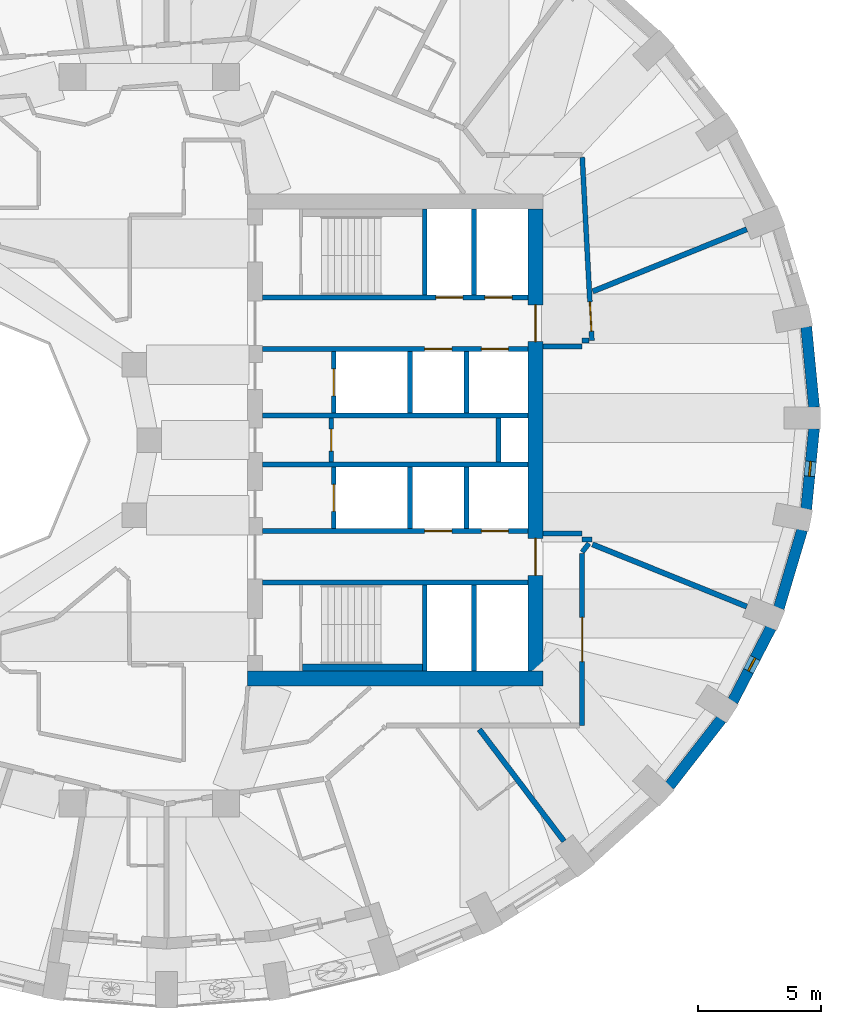
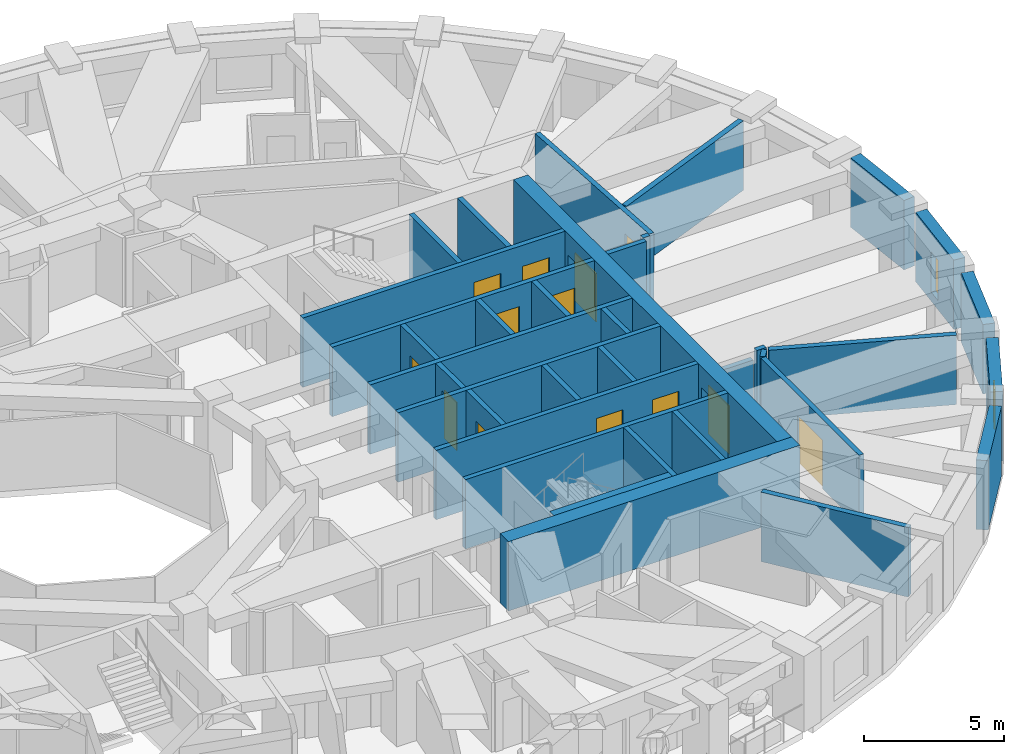
# One storey, part 6 of 12: 36 walls, 13 doors, 2 windows, 15 openings.
"""IFC4 building model written with IfcOpenShell, lengths in metres."""

from ifc_helpers import new_model, si_unit, direction, frame, frame_2d, origin, place, context, subcontext, project, spatial, rectangle, extrude, material, layer, layer_set, type_object, element, fill, save


model = new_model("IFC4")

# Units and contexts
model_context = context("Model", 3, precision=1e-05, world=origin(), true_north=direction((0.0, 1.0)))
body_context = subcontext(model_context, "Body", "Model", "MODEL_VIEW")
ifc_project = project(units=[si_unit("LENGTHUNIT", "METRE"), si_unit("AREAUNIT", "SQUARE_METRE"), si_unit("VOLUMEUNIT", "CUBIC_METRE"), si_unit("PLANEANGLEUNIT", "RADIAN"), si_unit("MASSUNIT", "GRAM", prefix="KILO")], contexts=[model_context])

# Site, building, storey
site_placement = place(None, origin())
site = spatial("IfcSite", under=ifc_project, at=site_placement, CompositionType="ELEMENT")
building_placement = place(site_placement, origin())
building = spatial("IfcBuilding", under=site, at=building_placement, Name="Taillehof Tower", CompositionType="ELEMENT")
storey_placement = place(building_placement, frame((0.0, 0.0, 199.10009765625)))
storey = spatial("IfcBuildingStorey", under=building, at=storey_placement, Name="L56", CompositionType="ELEMENT", Elevation=199.10009765625)

# Walls
ifc_material_1 = material(Name="Brick masonry", Category="masonry")
ifc_layer_1 = layer(ifc_material_1, 0.449951171875)
ifc_layer_set_1 = layer_set([ifc_layer_1], Name="Brick infill wall 450")
wall_type_1 = type_object("IfcWallType", Name="Brick infill wall 450", PredefinedType="SOLIDWALL", material=ifc_layer_set_1)
wall_1_placement = place(storey_placement, frame((27.0322265625, 1.330078125, 0.0), z_axis=(0.0, 0.0, 1.0), x_axis=(-0.096824116835, 0.995301507283, 0.0)))
element("IfcWall", 1, at=wall_1_placement, inside=storey, type_object=wall_type_1, Name="Brick wall L56 bay 1", PredefinedType="SOLIDWALL", context=body_context, shape_type="SweptSolid", body=[
    extrude(rectangle(XDim=3.29296875, YDim=0.449951171875, at=frame_2d((1.646484375, 0.0))), origin(), (0.0, 0.0, 1.0), 3.02001953125),
])
wall_2_placement = place(storey_placement, frame((21.1513671875, -14.06103515625, 0.0), z_axis=(0.0, 0.0, 1.0), x_axis=(0.614255239631, 0.789107407509, 0.0)))
element("IfcWall", 2, at=wall_2_placement, inside=storey, type_object=wall_type_1, Name="Brick wall L56 bay 33", PredefinedType="SOLIDWALL", context=body_context, shape_type="SweptSolid", body=[
    extrude(rectangle(XDim=3.4375, YDim=0.449951171875, at=frame_2d((1.71875, 0.0))), origin(), (0.0, 0.0, 1.0), 3.02001953125),
])

# Wall, opening, window
wall_3_placement = place(storey_placement, frame((23.72705078125, -10.6240234375, 0.0), z_axis=(0.0, 0.0, 1.0), x_axis=(0.460175500475, 0.887827972505, 0.0)))
wall_3 = element("IfcWall", 3, at=wall_3_placement, inside=storey, type_object=wall_type_1, Name="Brick wall L56 bay 34", PredefinedType="SOLIDWALL", context=body_context, shape_type="SweptSolid", body=[
    extrude(rectangle(XDim=3.37060546875, YDim=0.449951171875, at=frame_2d((1.685302734375, 0.0))), origin(), (0.0, 0.0, 1.0), 3.02001953125),
])
opening_1_placement = place(wall_3_placement, frame((1.38525390625, 0.0, 0.39990234375)))
opening_1 = element("IfcOpeningElement", 4, at=opening_1_placement, cuts=wall_3, Name="Opening W6", PredefinedType="OPENING", context=body_context, shape_type="SweptSolid", body=[
    extrude(rectangle(XDim=0.60009765625, YDim=1.75, at=frame_2d((0.300048828125, 0.875))), frame((0.0, 0.23486328125, 0.0), z_axis=(0.0, -1.0, 0.0), x_axis=(1.0, 0.0, 0.0)), (0.0, 0.0, 1.0), 0.469970703125),
])
ifc_material_2 = material(Name="Aluminium window frame with clear double glazing", Category="aluminium")
window_type = type_object("IfcWindowType", Name="Slot window 600x1750", PartitioningType="SINGLE_PANEL", PredefinedType="WINDOW", material=ifc_material_2)
window_1_placement = place(opening_1_placement, origin())
window_1 = element("IfcWindow", 5, at=window_1_placement, inside=storey, type_object=window_type, Name="W6", OverallHeight=1.75, OverallWidth=0.60009765625, PartitioningType="SINGLE_PANEL", PredefinedType="WINDOW", context=body_context, shape_type="SweptSolid", body=[
    extrude(rectangle(XDim=0.60009765625, YDim=1.75, at=frame_2d((0.300048828125, 0.875))), frame((0.0, 0.034912109375, 0.0), z_axis=(0.0, -1.0, 0.0), x_axis=(1.0, 0.0, 0.0)), (0.0, 0.0, 1.0), 0.06005859375),
])
fill(opening_1, window_1)

# Wall
wall_4_placement = place(storey_placement, frame((25.600341796875, -6.833984375, 0.0), z_axis=(0.0, 0.0, 1.0), x_axis=(0.285444972963, 0.958395099847, 0.0)))
element("IfcWall", 6, at=wall_4_placement, inside=storey, type_object=wall_type_1, Name="Brick wall L56 bay 35", PredefinedType="SOLIDWALL", context=body_context, shape_type="SweptSolid", body=[
    extrude(rectangle(XDim=3.3203125, YDim=0.449951171875, at=frame_2d((1.66015625, 0.0))), origin(), (0.0, 0.0, 1.0), 3.02001953125),
])

# Wall, opening, window
wall_5_placement = place(storey_placement, frame((26.71337890625, -2.807861328125, 0.0), z_axis=(0.0, 0.0, 1.0), x_axis=(0.096816972749, 0.995302202242, 0.0)))
wall_5 = element("IfcWall", 7, at=wall_5_placement, inside=storey, type_object=wall_type_1, Name="Brick wall L56 bay 36", PredefinedType="SOLIDWALL", context=body_context, shape_type="SweptSolid", body=[
    extrude(rectangle(XDim=3.293212890625, YDim=0.449951171875, at=frame_2d((1.646484375, 0.0))), origin(), (0.0, 0.0, 1.0), 3.02001953125),
])
opening_2_placement = place(wall_5_placement, frame((1.3466796875, 0.0, 0.39990234375)))
opening_2 = element("IfcOpeningElement", 8, at=opening_2_placement, cuts=wall_5, Name="Opening W6", PredefinedType="OPENING", context=body_context, shape_type="SweptSolid", body=[
    extrude(rectangle(XDim=0.60009765625, YDim=1.75, at=frame_2d((0.300048828125, 0.875))), frame((0.0, 0.23486328125, 0.0), z_axis=(0.0, -1.0, 0.0), x_axis=(1.0, 0.0, 0.0)), (0.0, 0.0, 1.0), 0.469970703125),
])
window_2_placement = place(opening_2_placement, origin())
window_2 = element("IfcWindow", 9, at=window_2_placement, inside=storey, type_object=window_type, Name="W6", OverallHeight=1.75, OverallWidth=0.60009765625, PartitioningType="SINGLE_PANEL", PredefinedType="WINDOW", context=body_context, shape_type="SweptSolid", body=[
    extrude(rectangle(XDim=0.60009765625, YDim=1.75, at=frame_2d((0.300048828125, 0.875))), frame((0.0, 0.034912109375, 0.0), z_axis=(0.0, -1.0, 0.0), x_axis=(1.0, 0.0, 0.0)), (0.0, 0.0, 1.0), 0.06005859375),
])
fill(opening_2, window_2)

# Wall, opening, door
ifc_material_3 = material(Name="Calcium silicate masonry", Category="masonry")
ifc_layer_2 = layer(ifc_material_3, 0.199951171875)
ifc_layer_set_2 = layer_set([ifc_layer_2], Name="Compartment wall calcium silicate 200")
wall_type_2 = type_object("IfcWallType", Name="Compartment wall calcium silicate 200", PredefinedType="PARTITIONING", material=ifc_layer_set_2)
wall_6_placement = place(storey_placement, frame((7.39990234375, -0.89990234375, 0.0), z_axis=(0.0, 0.0, 1.0), x_axis=(0.0, 1.0, 0.0)))
wall_6 = element("IfcWall", 10, at=wall_6_placement, inside=storey, type_object=wall_type_2, Name="Compartment wall FW", PredefinedType="PARTITIONING", context=body_context, shape_type="SweptSolid", body=[
    extrude(rectangle(XDim=1.7998046875, YDim=0.199951171875, at=frame_2d((0.89990234375, 0.0))), origin(), (0.0, 0.0, 1.0), 3.02001953125),
])
opening_3_placement = place(wall_6_placement, frame((0.449951171875, 0.0, 0.0)))
opening_3 = element("IfcOpeningElement", 11, at=opening_3_placement, cuts=wall_6, Name="Opening D5614", PredefinedType="OPENING", context=body_context, shape_type="SweptSolid", body=[
    extrude(rectangle(XDim=0.89990234375, YDim=2.10009765625, at=frame_2d((0.449951171875, 1.050048828125))), frame((0.0, 0.10986328125, 0.0), z_axis=(0.0, -1.0, 0.0), x_axis=(1.0, 0.0, 0.0)), (0.0, 0.0, 1.0), 0.219970703125),
])
ifc_material_4 = material(Name="Steel-faced fire door", Category="steel")
door_type_1 = type_object("IfcDoorType", Name="Riser and service room door 900x2100", OperationType="SINGLE_SWING_LEFT", PredefinedType="DOOR", material=ifc_material_4)
door_1_placement = place(opening_3_placement, origin())
door_1 = element("IfcDoor", 12, at=door_1_placement, inside=storey, type_object=door_type_1, Name="Door Fire Safety Store", OperationType="SINGLE_SWING_RIGHT", OverallHeight=2.10009765625, OverallWidth=0.89990234375, PredefinedType="DOOR", context=body_context, shape_type="SweptSolid", body=[
    extrude(rectangle(XDim=0.89990234375, YDim=2.10009765625, at=frame_2d((0.449951171875, 1.050048828125))), frame((0.0, 0.02490234375, 0.0), z_axis=(0.0, -1.0, 0.0), x_axis=(1.0, 0.0, 0.0)), (0.0, 0.0, 1.0), 0.050048828125),
])
fill(opening_3, door_1)

# Walls
wall_7_placement = place(storey_placement, frame((14.199951171875, -0.89990234375, 0.0), z_axis=(0.0, 0.0, 1.0), x_axis=(0.0, 1.0, 0.0)))
element("IfcWall", 13, at=wall_7_placement, inside=storey, type_object=wall_type_2, Name="Compartment wall FW", PredefinedType="PARTITIONING", context=body_context, shape_type="SweptSolid", body=[
    extrude(rectangle(XDim=1.7998046875, YDim=0.199951171875, at=frame_2d((0.89990234375, 0.0))), origin(), (0.0, 0.0, 1.0), 3.02001953125),
])
ifc_material_5 = material(Name="Gypsum board on steel studs, two layers each side", Category="steel")
ifc_layer_3 = layer(ifc_material_5, 0.199951171875)
ifc_layer_set_3 = layer_set([ifc_layer_3], Name="Compartment wall corridor 200")
wall_type_3 = type_object("IfcWallType", Name="Compartment wall corridor 200", PredefinedType="PARTITIONING", material=ifc_layer_set_3)
wall_8_placement = place(storey_placement, frame((17.60009765625, -4.042724609375, 0.0), z_axis=(0.0, 0.0, 1.0), x_axis=(1.0, 0.0, 0.0)))
element("IfcWall", 14, at=wall_8_placement, inside=storey, type_object=wall_type_3, Name="Compartment wall", PredefinedType="PARTITIONING", context=body_context, shape_type="SweptSolid", body=[
    extrude(rectangle(XDim=0.3984375, YDim=0.199951171875, at=frame_2d((0.19921875, 0.0))), origin(), (0.0, 0.0, 1.0), 3.02001953125),
])
wall_9_placement = place(storey_placement, frame((17.87646484375, -4.201416015625, 0.0), z_axis=(0.0, 0.0, 1.0), x_axis=(-0.61405326993, -0.789264582816, 0.0)))
element("IfcWall", 15, at=wall_9_placement, inside=storey, type_object=wall_type_3, Name="Compartment wall", PredefinedType="PARTITIONING", context=body_context, shape_type="SweptSolid", body=[
    extrude(rectangle(XDim=0.449951171875, YDim=0.199951171875, at=frame_2d((0.22509765625, 0.0))), origin(), (0.0, 0.0, 1.0), 3.02001953125),
])

# Wall, opening, door
wall_10_placement = place(storey_placement, frame((17.60009765625, -4.61669921875, 0.0), z_axis=(0.0, 0.0, 1.0), x_axis=(0.0, -1.0, 0.0)))
wall_10 = element("IfcWall", 16, at=wall_10_placement, inside=storey, type_object=wall_type_3, Name="Compartment wall", PredefinedType="PARTITIONING", context=body_context, shape_type="SweptSolid", body=[
    extrude(rectangle(XDim=6.9833984375, YDim=0.199951171875, at=frame_2d((3.49169921875, 0.0))), origin(), (0.0, 0.0, 1.0), 3.02001953125),
])
opening_4_placement = place(wall_10_placement, frame((2.591796875, 0.0, 0.0)))
opening_4 = element("IfcOpeningElement", 17, at=opening_4_placement, cuts=wall_10, Name="Opening D5663", PredefinedType="OPENING", context=body_context, shape_type="SweptSolid", body=[
    extrude(rectangle(XDim=1.800048828125, YDim=2.10009765625, at=frame_2d((0.89990234375, 1.050048828125))), frame((0.0, 0.10986328125, 0.0), z_axis=(0.0, -1.0, 0.0), x_axis=(1.0, 0.0, 0.0)), (0.0, 0.0, 1.0), 0.219970703125),
])
ifc_material_6 = material(Name="Timber door leaf in steel frame", Category="steel")
door_type_2 = type_object("IfcDoorType", Name="Lounge and meeting room double door EI 30 1800 x 2100", OperationType="SINGLE_SWING_LEFT", PredefinedType="DOOR", material=ifc_material_6)
door_2_placement = place(opening_4_placement, origin())
door_2 = element("IfcDoor", 18, at=door_2_placement, inside=storey, type_object=door_type_2, Name="D5663", OperationType="DOUBLE_DOOR_SINGLE_SWING", OverallHeight=2.10009765625, OverallWidth=1.800048828125, PredefinedType="DOOR", context=body_context, shape_type="SweptSolid", body=[
    extrude(rectangle(XDim=1.800048828125, YDim=2.10009765625, at=frame_2d((0.89990234375, 1.050048828125))), frame((0.0, 0.02490234375, 0.0), z_axis=(0.0, -1.0, 0.0), x_axis=(1.0, 0.0, 0.0)), (0.0, 0.0, 1.0), 0.050048828125),
])
fill(opening_4, door_2)

wall_11_placement = place(storey_placement, frame((17.60498046875, 11.5, 0.0), z_axis=(0.0, 0.0, 1.0), x_axis=(0.052701255232, -0.998610323248, 0.0)))
wall_11 = element("IfcWall", 19, at=wall_11_placement, inside=storey, type_object=wall_type_3, Name="Compartment wall", PredefinedType="PARTITIONING", context=body_context, shape_type="SweptSolid", body=[
    extrude(rectangle(XDim=7.4677734375, YDim=0.199951171875, at=frame_2d((3.73388671875, 0.0))), origin(), (0.0, 0.0, 1.0), 3.02001953125),
])
opening_5_placement = place(wall_11_placement, frame((5.887451171875, 0.0, 0.0)))
opening_5 = element("IfcOpeningElement", 20, at=opening_5_placement, cuts=wall_11, Name="Opening D5664", PredefinedType="OPENING", context=body_context, shape_type="SweptSolid", body=[
    extrude(rectangle(XDim=1.199951171875, YDim=2.10009765625, at=frame_2d((0.60009765625, 1.050048828125))), frame((0.0, 0.10986328125, 0.0), z_axis=(0.0, -1.0, 0.0), x_axis=(1.0, 0.0, 0.0)), (0.0, 0.0, 1.0), 0.219970703125),
])
ifc_material_7 = material(Name="Timber door leaf in steel frame", Category="steel")
door_type_3 = type_object("IfcDoorType", Name="Suite entrance door EI 30 1200 x 2100", OperationType="SINGLE_SWING_LEFT", PredefinedType="DOOR", material=ifc_material_7)
door_3_placement = place(opening_5_placement, origin())
door_3 = element("IfcDoor", 21, at=door_3_placement, inside=storey, type_object=door_type_3, Name="D5664", OperationType="SINGLE_SWING_LEFT", OverallHeight=2.10009765625, OverallWidth=1.199951171875, PredefinedType="DOOR", context=body_context, shape_type="SweptSolid", body=[
    extrude(rectangle(XDim=1.199951171875, YDim=2.10009765625, at=frame_2d((0.60009765625, 1.050048828125))), frame((0.0, 0.02490234375, 0.0), z_axis=(0.0, -1.0, 0.0), x_axis=(1.0, 0.0, 0.0)), (0.0, 0.0, 1.0), 0.050048828125),
])
fill(opening_5, door_3)

# Walls
wall_12_placement = place(storey_placement, frame((17.87841796875, 4.042724609375, 0.0), z_axis=(0.0, 0.0, 1.0), x_axis=(-1.0, 0.0, 0.0)))
element("IfcWall", 22, at=wall_12_placement, inside=storey, type_object=wall_type_3, Name="Compartment wall", PredefinedType="PARTITIONING", context=body_context, shape_type="SweptSolid", body=[
    extrude(rectangle(XDim=0.2783203125, YDim=0.199951171875, at=frame_2d((0.13916015625, 0.0))), origin(), (0.0, 0.0, 1.0), 3.02001953125),
])
wall_13_placement = place(storey_placement, frame((17.60009765625, 3.800048828125, 0.0), z_axis=(0.0, 0.0, 1.0), x_axis=(-1.0, 0.0, 0.0)))
element("IfcWall", 23, at=wall_13_placement, inside=storey, type_object=wall_type_3, Name="Compartment wall", PredefinedType="PARTITIONING", context=body_context, shape_type="SweptSolid", body=[
    extrude(rectangle(XDim=1.59619140625, YDim=0.199951171875, at=frame_2d((0.798095703125, 0.0))), origin(), (0.0, 0.0, 1.0), 3.02001953125),
])
wall_14_placement = place(storey_placement, frame((16.00390625, -3.800048828125, 0.0), z_axis=(0.0, 0.0, 1.0), x_axis=(1.0, 0.0, 0.0)))
element("IfcWall", 24, at=wall_14_placement, inside=storey, type_object=wall_type_3, Name="Compartment wall", PredefinedType="PARTITIONING", context=body_context, shape_type="SweptSolid", body=[
    extrude(rectangle(XDim=1.59619140625, YDim=0.199951171875, at=frame_2d((0.798095703125, 0.0))), origin(), (0.0, 0.0, 1.0), 2.469970703125),
])
ifc_material_8 = material(Name="Gypsum board on double steel studs with mineral wool", Category="steel")
ifc_layer_4 = layer(ifc_material_8, 0.219970703125)
ifc_layer_set_4 = layer_set([ifc_layer_4], Name="Compartment wall guest room 220")
wall_type_4 = type_object("IfcWallType", Name="Compartment wall guest room 220", PredefinedType="PARTITIONING", material=ifc_layer_set_4)
wall_15_placement = place(storey_placement, frame((24.29541015625, 8.5712890625, 0.0), z_axis=(0.0, 0.0, 1.0), x_axis=(-0.927395972896, -0.374081153571, 0.0)))
element("IfcWall", 25, at=wall_15_placement, inside=storey, type_object=wall_type_4, Name="Compartment wall", PredefinedType="PARTITIONING", context=body_context, shape_type="SweptSolid", body=[
    extrude(rectangle(XDim=6.7548828125, YDim=0.219970703125, at=frame_2d((3.37744140625, 0.0))), origin(), (0.0, 0.0, 1.0), 3.02001953125),
])
wall_16_placement = place(storey_placement, frame((16.86328125, -16.3125, 0.0), z_axis=(0.0, 0.0, 1.0), x_axis=(-0.603636051313, 0.797260006243, 0.0)))
element("IfcWall", 26, at=wall_16_placement, inside=storey, type_object=wall_type_4, Name="Compartment wall", PredefinedType="PARTITIONING", context=body_context, shape_type="SweptSolid", body=[
    extrude(rectangle(XDim=5.70556640625, YDim=0.219970703125, at=frame_2d((2.852783203125, 0.0))), origin(), (0.0, 0.0, 1.0), 3.02001953125),
])
wall_17_placement = place(storey_placement, frame((24.29541015625, -6.771484375, 0.0), z_axis=(0.0, 0.0, 1.0), x_axis=(-0.927382720906, 0.374114005305, 0.0)))
element("IfcWall", 27, at=wall_17_placement, inside=storey, type_object=wall_type_4, Name="Compartment wall", PredefinedType="PARTITIONING", context=body_context, shape_type="SweptSolid", body=[
    extrude(rectangle(XDim=6.765869140625, YDim=0.219970703125, at=frame_2d((3.3828125, 0.0))), origin(), (0.0, 0.0, 1.0), 3.02001953125),
])
ifc_material_9 = material(Name="Calcium silicate masonry", Category="masonry")
ifc_layer_5 = layer(ifc_material_9, 0.300048828125)
ifc_layer_set_5 = layer_set([ifc_layer_5], Name="Compartment wall lining calcium silicate 300")
wall_type_5 = type_object("IfcWallType", Name="Compartment wall lining calcium silicate 300", PredefinedType="PARTITIONING", material=ifc_layer_set_5)
wall_18_placement = place(storey_placement, frame((6.219970703125, -9.25, 0.0), z_axis=(0.0, 0.0, 1.0), x_axis=(1.0, 0.0, 0.0)))
element("IfcWall", 28, at=wall_18_placement, inside=storey, type_object=wall_type_5, Name="Compartment wall FW", PredefinedType="PARTITIONING", context=body_context, shape_type="SweptSolid", body=[
    extrude(rectangle(XDim=4.880126953125, YDim=0.300048828125, at=frame_2d((2.43994140625, 0.0))), origin(), (0.0, 0.0, 1.0), 3.02001953125),
])

# Wall, openings, doors
ifc_material_10 = material(Name="Concrete C80/95", Category="concrete")
ifc_layer_6 = layer(ifc_material_10, 0.60009765625)
ifc_layer_set_6 = layer_set([ifc_layer_6], Name="Core wall C80/95 600")
wall_type_6 = type_object("IfcWallType", Name="Core wall C80/95 600", PredefinedType="SHEAR", material=ifc_layer_set_6)
wall_19_placement = place(storey_placement, frame((15.699951171875, -9.39990234375, 0.0), z_axis=(0.0, 0.0, 1.0), x_axis=(0.0, 1.0, 0.0)))
wall_19 = element("IfcWall", 29, at=wall_19_placement, inside=storey, type_object=wall_type_6, Name="Core wall CW05", PredefinedType="SHEAR", context=body_context, shape_type="SweptSolid", body=[
    extrude(rectangle(XDim=18.7998046875, YDim=0.60009765625, at=frame_2d((9.39990234375, 0.0))), origin(), (0.0, 0.0, 1.0), 3.02001953125),
])
opening_6_placement = place(wall_19_placement, frame((13.39990234375, 0.0, 0.0)))
opening_6 = element("IfcOpeningElement", 30, at=opening_6_placement, cuts=wall_19, Name="Opening D5608", PredefinedType="OPENING", context=body_context, shape_type="SweptSolid", body=[
    extrude(rectangle(XDim=1.5, YDim=2.10009765625, at=frame_2d((0.75, 1.050048828125))), frame((0.0, 0.31005859375, 0.0), z_axis=(0.0, -1.0, 0.0), x_axis=(1.0, 0.0, 0.0)), (0.0, 0.0, 1.0), 0.6201171875),
])
opening_7_placement = place(wall_19_placement, frame((3.89990234375, 0.0, 0.0)))
opening_7 = element("IfcOpeningElement", 31, at=opening_7_placement, cuts=wall_19, Name="Opening D5609", PredefinedType="OPENING", context=body_context, shape_type="SweptSolid", body=[
    extrude(rectangle(XDim=1.5, YDim=2.10009765625, at=frame_2d((0.75, 1.050048828125))), frame((0.0, 0.31005859375, 0.0), z_axis=(0.0, -1.0, 0.0), x_axis=(1.0, 0.0, 0.0)), (0.0, 0.0, 1.0), 0.6201171875),
])
ifc_material_11 = material(Name="Steel-faced fire door", Category="steel")
door_type_4 = type_object("IfcDoorType", Name="Lift lobby east door 1500x2100", OperationType="DOUBLE_DOOR_SINGLE_SWING", PredefinedType="DOOR", material=ifc_material_11)
door_4_placement = place(opening_6_placement, origin())
door_4 = element("IfcDoor", 32, at=door_4_placement, inside=storey, type_object=door_type_4, Name="Lift lobby east door north", OperationType="DOUBLE_DOOR_SINGLE_SWING", OverallHeight=2.10009765625, OverallWidth=1.5, PredefinedType="DOOR", context=body_context, shape_type="SweptSolid", body=[
    extrude(rectangle(XDim=1.5, YDim=2.10009765625, at=frame_2d((0.75, 1.050048828125))), frame((0.0, 0.02490234375, 0.0), z_axis=(0.0, -1.0, 0.0), x_axis=(1.0, 0.0, 0.0)), (0.0, 0.0, 1.0), 0.050048828125),
])
fill(opening_6, door_4)
door_5_placement = place(opening_7_placement, origin())
door_5 = element("IfcDoor", 33, at=door_5_placement, inside=storey, type_object=door_type_4, Name="Lift lobby east door south", OperationType="DOUBLE_DOOR_SINGLE_SWING", OverallHeight=2.10009765625, OverallWidth=1.5, PredefinedType="DOOR", context=body_context, shape_type="SweptSolid", body=[
    extrude(rectangle(XDim=1.5, YDim=2.10009765625, at=frame_2d((0.75, 1.050048828125))), frame((0.0, 0.02490234375, 0.0), z_axis=(0.0, -1.0, 0.0), x_axis=(1.0, 0.0, 0.0)), (0.0, 0.0, 1.0), 0.050048828125),
])
fill(opening_7, door_5)

# Wall
wall_20_placement = place(storey_placement, frame((4.0, -9.699951171875, 0.0), z_axis=(0.0, 0.0, 1.0), x_axis=(1.0, 0.0, 0.0)))
element("IfcWall", 34, at=wall_20_placement, inside=storey, type_object=wall_type_6, Name="Core wall CW07", PredefinedType="SHEAR", context=body_context, shape_type="SweptSolid", body=[
    extrude(rectangle(XDim=12.0, YDim=0.60009765625, at=frame_2d((6.0, 0.0))), origin(), (0.0, 0.0, 1.0), 3.02001953125),
])

# Wall, openings, doors
ifc_material_12 = material(Name="Concrete C50/60", Category="concrete")
ifc_layer_7 = layer(ifc_material_12, 0.199951171875)
ifc_layer_set_7 = layer_set([ifc_layer_7], Name="Shaft wall C50/60 200")
wall_type_7 = type_object("IfcWallType", Name="Shaft wall C50/60 200", PredefinedType="SHEAR", material=ifc_layer_set_7)
wall_21_placement = place(storey_placement, frame((4.60009765625, 5.800048828125, 0.0), z_axis=(0.0, 0.0, 1.0), x_axis=(1.0, 0.0, 0.0)))
wall_21 = element("IfcWall", 35, at=wall_21_placement, inside=storey, type_object=wall_type_7, Name="Shaft wall SW", PredefinedType="SHEAR", context=body_context, shape_type="SweptSolid", body=[
    extrude(rectangle(XDim=10.7998046875, YDim=0.199951171875, at=frame_2d((5.39990234375, 0.0))), origin(), (0.0, 0.0, 1.0), 3.02001953125),
])
opening_8_placement = place(wall_21_placement, frame((7.050048828125, 0.0, 0.0)))
opening_8 = element("IfcOpeningElement", 36, at=opening_8_placement, cuts=wall_21, Name="Opening LD1", PredefinedType="OPENING", context=body_context, shape_type="SweptSolid", body=[
    extrude(rectangle(XDim=1.10009765625, YDim=2.10009765625, at=frame_2d((0.550048828125, 1.050048828125))), frame((0.0, 0.10986328125, 0.0), z_axis=(0.0, -1.0, 0.0), x_axis=(1.0, 0.0, 0.0)), (0.0, 0.0, 1.0), 0.219970703125),
])
opening_9_placement = place(wall_21_placement, frame((9.050048828125, 0.0, 0.0)))
opening_9 = element("IfcOpeningElement", 37, at=opening_9_placement, cuts=wall_21, Name="Opening LD1", PredefinedType="OPENING", context=body_context, shape_type="SweptSolid", body=[
    extrude(rectangle(XDim=1.10009765625, YDim=2.10009765625, at=frame_2d((0.550048828125, 1.050048828125))), frame((0.0, 0.10986328125, 0.0), z_axis=(0.0, -1.0, 0.0), x_axis=(1.0, 0.0, 0.0)), (0.0, 0.0, 1.0), 0.219970703125),
])
ifc_material_13 = material(Name="Stainless steel", Category="steel")
door_type_5 = type_object("IfcDoorType", Name="Lift landing door LD1 1100x2100", OperationType="DOUBLE_DOOR_SLIDING", PredefinedType="DOOR", material=ifc_material_13)
door_6_placement = place(opening_8_placement, origin())
door_6 = element("IfcDoor", 38, at=door_6_placement, inside=storey, type_object=door_type_5, Name="Landing door HR1", OperationType="DOUBLE_DOOR_SLIDING", OverallHeight=2.10009765625, OverallWidth=1.10009765625, PredefinedType="DOOR", context=body_context, shape_type="SweptSolid", body=[
    extrude(rectangle(XDim=1.10009765625, YDim=2.10009765625, at=frame_2d((0.550048828125, 1.050048828125))), frame((0.0, 0.02490234375, 0.0), z_axis=(0.0, -1.0, 0.0), x_axis=(1.0, 0.0, 0.0)), (0.0, 0.0, 1.0), 0.050048828125),
])
fill(opening_8, door_6)
door_7_placement = place(opening_9_placement, origin())
door_7 = element("IfcDoor", 39, at=door_7_placement, inside=storey, type_object=door_type_5, Name="Landing door HR2", OperationType="DOUBLE_DOOR_SLIDING", OverallHeight=2.10009765625, OverallWidth=1.10009765625, PredefinedType="DOOR", context=body_context, shape_type="SweptSolid", body=[
    extrude(rectangle(XDim=1.10009765625, YDim=2.10009765625, at=frame_2d((0.550048828125, 1.050048828125))), frame((0.0, 0.02490234375, 0.0), z_axis=(0.0, -1.0, 0.0), x_axis=(1.0, 0.0, 0.0)), (0.0, 0.0, 1.0), 0.050048828125),
])
fill(opening_9, door_7)

wall_22_placement = place(storey_placement, frame((4.60009765625, 3.699951171875, 0.0), z_axis=(0.0, 0.0, 1.0), x_axis=(1.0, 0.0, 0.0)))
wall_22 = element("IfcWall", 40, at=wall_22_placement, inside=storey, type_object=wall_type_7, Name="Shaft wall SW", PredefinedType="SHEAR", context=body_context, shape_type="SweptSolid", body=[
    extrude(rectangle(XDim=10.7998046875, YDim=0.199951171875, at=frame_2d((5.39990234375, 0.0))), origin(), (0.0, 0.0, 1.0), 3.02001953125),
])
opening_10_placement = place(wall_22_placement, frame((6.60009765625, 0.0, 0.0)))
opening_10 = element("IfcOpeningElement", 41, at=opening_10_placement, cuts=wall_22, Name="Opening LD1", PredefinedType="OPENING", context=body_context, shape_type="SweptSolid", body=[
    extrude(rectangle(XDim=1.10009765625, YDim=2.10009765625, at=frame_2d((0.550048828125, 1.050048828125))), frame((0.0, 0.10986328125, 0.0), z_axis=(0.0, -1.0, 0.0), x_axis=(1.0, 0.0, 0.0)), (0.0, 0.0, 1.0), 0.219970703125),
])
opening_11_placement = place(wall_22_placement, frame((8.89990234375, 0.0, 0.0)))
opening_11 = element("IfcOpeningElement", 42, at=opening_11_placement, cuts=wall_22, Name="Opening LD1", PredefinedType="OPENING", context=body_context, shape_type="SweptSolid", body=[
    extrude(rectangle(XDim=1.10009765625, YDim=2.10009765625, at=frame_2d((0.550048828125, 1.050048828125))), frame((0.0, 0.10986328125, 0.0), z_axis=(0.0, -1.0, 0.0), x_axis=(1.0, 0.0, 0.0)), (0.0, 0.0, 1.0), 0.219970703125),
])
door_8_placement = place(opening_10_placement, origin())
door_8 = element("IfcDoor", 43, at=door_8_placement, inside=storey, type_object=door_type_5, Name="Landing door HR3", OperationType="DOUBLE_DOOR_SLIDING", OverallHeight=2.10009765625, OverallWidth=1.10009765625, PredefinedType="DOOR", context=body_context, shape_type="SweptSolid", body=[
    extrude(rectangle(XDim=1.10009765625, YDim=2.10009765625, at=frame_2d((0.550048828125, 1.050048828125))), frame((0.0, 0.02490234375, 0.0), z_axis=(0.0, -1.0, 0.0), x_axis=(1.0, 0.0, 0.0)), (0.0, 0.0, 1.0), 0.050048828125),
])
fill(opening_10, door_8)
door_9_placement = place(opening_11_placement, origin())
door_9 = element("IfcDoor", 44, at=door_9_placement, inside=storey, type_object=door_type_5, Name="Landing door HR4", OperationType="DOUBLE_DOOR_SLIDING", OverallHeight=2.10009765625, OverallWidth=1.10009765625, PredefinedType="DOOR", context=body_context, shape_type="SweptSolid", body=[
    extrude(rectangle(XDim=1.10009765625, YDim=2.10009765625, at=frame_2d((0.550048828125, 1.050048828125))), frame((0.0, 0.02490234375, 0.0), z_axis=(0.0, -1.0, 0.0), x_axis=(1.0, 0.0, 0.0)), (0.0, 0.0, 1.0), 0.050048828125),
])
fill(opening_11, door_9)

# Walls
for number, where, z_axis, x_axis, name in (
    (45, (4.60009765625, 1.0, 0.0), (0.0, 0.0, 1.0), (1.0, 0.0, 0.0), "Shaft wall SW"),
    (46, (4.60009765625, -1.0, 0.0), (0.0, 0.0, 1.0), (1.0, 0.0, 0.0), "Shaft wall SW"),
):
    element("IfcWall", number, at=place(storey_placement, frame(where, z_axis=z_axis, x_axis=x_axis)), inside=storey, type_object=wall_type_7, Name=name, PredefinedType="SHEAR", context=body_context, shape_type="SweptSolid", body=[
        extrude(rectangle(XDim=10.7998046875, YDim=0.199951171875, at=frame_2d((5.39990234375, 0.0))), origin(), (0.0, 0.0, 1.0), 3.02001953125),
    ])

# Wall, openings, doors
wall_23_placement = place(storey_placement, frame((4.60009765625, -3.699951171875, 0.0), z_axis=(0.0, 0.0, 1.0), x_axis=(1.0, 0.0, 0.0)))
wall_23 = element("IfcWall", 47, at=wall_23_placement, inside=storey, type_object=wall_type_7, Name="Shaft wall SW", PredefinedType="SHEAR", context=body_context, shape_type="SweptSolid", body=[
    extrude(rectangle(XDim=10.7998046875, YDim=0.199951171875, at=frame_2d((5.39990234375, 0.0))), origin(), (0.0, 0.0, 1.0), 3.02001953125),
])
opening_12_placement = place(wall_23_placement, frame((6.60009765625, 0.0, 0.0)))
opening_12 = element("IfcOpeningElement", 48, at=opening_12_placement, cuts=wall_23, Name="Opening LD1", PredefinedType="OPENING", context=body_context, shape_type="SweptSolid", body=[
    extrude(rectangle(XDim=1.10009765625, YDim=2.10009765625, at=frame_2d((0.550048828125, 1.050048828125))), frame((0.0, 0.10986328125, 0.0), z_axis=(0.0, -1.0, 0.0), x_axis=(1.0, 0.0, 0.0)), (0.0, 0.0, 1.0), 0.219970703125),
])
opening_13_placement = place(wall_23_placement, frame((8.89990234375, 0.0, 0.0)))
opening_13 = element("IfcOpeningElement", 49, at=opening_13_placement, cuts=wall_23, Name="Opening LD1", PredefinedType="OPENING", context=body_context, shape_type="SweptSolid", body=[
    extrude(rectangle(XDim=1.10009765625, YDim=2.10009765625, at=frame_2d((0.550048828125, 1.050048828125))), frame((0.0, 0.10986328125, 0.0), z_axis=(0.0, -1.0, 0.0), x_axis=(1.0, 0.0, 0.0)), (0.0, 0.0, 1.0), 0.219970703125),
])
door_10_placement = place(opening_12_placement, origin())
door_10 = element("IfcDoor", 50, at=door_10_placement, inside=storey, type_object=door_type_5, Name="Landing door HR5", OperationType="DOUBLE_DOOR_SLIDING", OverallHeight=2.10009765625, OverallWidth=1.10009765625, PredefinedType="DOOR", context=body_context, shape_type="SweptSolid", body=[
    extrude(rectangle(XDim=1.10009765625, YDim=2.10009765625, at=frame_2d((0.550048828125, 1.050048828125))), frame((0.0, 0.02490234375, 0.0), z_axis=(0.0, -1.0, 0.0), x_axis=(1.0, 0.0, 0.0)), (0.0, 0.0, 1.0), 0.050048828125),
])
fill(opening_12, door_10)
door_11_placement = place(opening_13_placement, origin())
door_11 = element("IfcDoor", 51, at=door_11_placement, inside=storey, type_object=door_type_5, Name="Landing door HR6", OperationType="DOUBLE_DOOR_SLIDING", OverallHeight=2.10009765625, OverallWidth=1.10009765625, PredefinedType="DOOR", context=body_context, shape_type="SweptSolid", body=[
    extrude(rectangle(XDim=1.10009765625, YDim=2.10009765625, at=frame_2d((0.550048828125, 1.050048828125))), frame((0.0, 0.02490234375, 0.0), z_axis=(0.0, -1.0, 0.0), x_axis=(1.0, 0.0, 0.0)), (0.0, 0.0, 1.0), 0.050048828125),
])
fill(opening_13, door_11)

# Walls
wall_24_placement = place(storey_placement, frame((4.60009765625, -5.800048828125, 0.0), z_axis=(0.0, 0.0, 1.0), x_axis=(1.0, 0.0, 0.0)))
element("IfcWall", 52, at=wall_24_placement, inside=storey, type_object=wall_type_7, Name="Shaft wall SW", PredefinedType="SHEAR", context=body_context, shape_type="SweptSolid", body=[
    extrude(rectangle(XDim=10.7998046875, YDim=0.199951171875, at=frame_2d((5.39990234375, 0.0))), origin(), (0.0, 0.0, 1.0), 3.02001953125),
])
for number, where, z_axis, x_axis, name in (
    (53, (11.199951171875, 5.89990234375, 0.0), (0.0, 0.0, 1.0), (0.0, 1.0, 0.0), "Shaft wall SW"),
    (54, (11.199951171875, -9.39990234375, 0.0), (0.0, 0.0, 1.0), (0.0, 1.0, 0.0), "Shaft wall SW"),
    (55, (13.199951171875, 5.89990234375, 0.0), (0.0, 0.0, 1.0), (0.0, 1.0, 0.0), "Shaft wall SW"),
    (56, (13.199951171875, -9.39990234375, 0.0), (0.0, 0.0, 1.0), (0.0, 1.0, 0.0), "Shaft wall SW"),
):
    element("IfcWall", number, at=place(storey_placement, frame(where, z_axis=z_axis, x_axis=x_axis)), inside=storey, type_object=wall_type_7, Name=name, PredefinedType="SHEAR", context=body_context, shape_type="SweptSolid", body=[
        extrude(rectangle(XDim=3.5, YDim=0.199951171875, at=frame_2d((1.75, 0.0))), origin(), (0.0, 0.0, 1.0), 3.02001953125),
    ])

# Wall, opening, door
wall_25_placement = place(storey_placement, frame((7.5, 1.10009765625, 0.0), z_axis=(0.0, 0.0, 1.0), x_axis=(0.0, 1.0, 0.0)))
wall_25 = element("IfcWall", 57, at=wall_25_placement, inside=storey, type_object=wall_type_7, Name="Shaft wall SW", PredefinedType="SHEAR", context=body_context, shape_type="SweptSolid", body=[
    extrude(rectangle(XDim=2.5, YDim=0.199951171875, at=frame_2d((1.25, 0.0))), origin(), (0.0, 0.0, 1.0), 3.02001953125),
])
opening_14_placement = place(wall_25_placement, frame((0.699951171875, 0.0, 0.0)))
opening_14 = element("IfcOpeningElement", 58, at=opening_14_placement, cuts=wall_25, Name="Opening LD1", PredefinedType="OPENING", context=body_context, shape_type="SweptSolid", body=[
    extrude(rectangle(XDim=1.10009765625, YDim=2.10009765625, at=frame_2d((0.550048828125, 1.050048828125))), frame((0.0, 0.10986328125, 0.0), z_axis=(0.0, -1.0, 0.0), x_axis=(1.0, 0.0, 0.0)), (0.0, 0.0, 1.0), 0.219970703125),
])
door_12_placement = place(opening_14_placement, origin())
door_12 = element("IfcDoor", 59, at=door_12_placement, inside=storey, type_object=door_type_5, Name="Landing door FF1", OperationType="DOUBLE_DOOR_SLIDING", OverallHeight=2.10009765625, OverallWidth=1.10009765625, PredefinedType="DOOR", context=body_context, shape_type="SweptSolid", body=[
    extrude(rectangle(XDim=1.10009765625, YDim=2.10009765625, at=frame_2d((0.550048828125, 1.050048828125))), frame((0.0, 0.02490234375, 0.0), z_axis=(0.0, -1.0, 0.0), x_axis=(1.0, 0.0, 0.0)), (0.0, 0.0, 1.0), 0.050048828125),
])
fill(opening_14, door_12)

wall_26_placement = place(storey_placement, frame((7.5, -3.60009765625, 0.0), z_axis=(0.0, 0.0, 1.0), x_axis=(0.0, 1.0, 0.0)))
wall_26 = element("IfcWall", 60, at=wall_26_placement, inside=storey, type_object=wall_type_7, Name="Shaft wall SW", PredefinedType="SHEAR", context=body_context, shape_type="SweptSolid", body=[
    extrude(rectangle(XDim=2.5, YDim=0.199951171875, at=frame_2d((1.25, 0.0))), origin(), (0.0, 0.0, 1.0), 3.02001953125),
])
opening_15_placement = place(wall_26_placement, frame((0.699951171875, 0.0, 0.0)))
opening_15 = element("IfcOpeningElement", 61, at=opening_15_placement, cuts=wall_26, Name="Opening LD1", PredefinedType="OPENING", context=body_context, shape_type="SweptSolid", body=[
    extrude(rectangle(XDim=1.10009765625, YDim=2.10009765625, at=frame_2d((0.550048828125, 1.050048828125))), frame((0.0, 0.10986328125, 0.0), z_axis=(0.0, -1.0, 0.0), x_axis=(1.0, 0.0, 0.0)), (0.0, 0.0, 1.0), 0.219970703125),
])
door_13_placement = place(opening_15_placement, origin())
door_13 = element("IfcDoor", 62, at=door_13_placement, inside=storey, type_object=door_type_5, Name="Landing door FF2", OperationType="DOUBLE_DOOR_SLIDING", OverallHeight=2.10009765625, OverallWidth=1.10009765625, PredefinedType="DOOR", context=body_context, shape_type="SweptSolid", body=[
    extrude(rectangle(XDim=1.10009765625, YDim=2.10009765625, at=frame_2d((0.550048828125, 1.050048828125))), frame((0.0, 0.02490234375, 0.0), z_axis=(0.0, -1.0, 0.0), x_axis=(1.0, 0.0, 0.0)), (0.0, 0.0, 1.0), 0.050048828125),
])
fill(opening_15, door_13)

# Walls
for number, where, z_axis, x_axis, name in (
    (63, (10.60009765625, 1.10009765625, 0.0), (0.0, 0.0, 1.0), (0.0, 1.0, 0.0), "Shaft wall SW"),
    (64, (10.60009765625, -3.60009765625, 0.0), (0.0, 0.0, 1.0), (0.0, 1.0, 0.0), "Shaft wall SW"),
    (65, (12.89990234375, 1.10009765625, 0.0), (0.0, 0.0, 1.0), (0.0, 1.0, 0.0), "Shaft wall SW"),
    (66, (12.89990234375, -3.60009765625, 0.0), (0.0, 0.0, 1.0), (0.0, 1.0, 0.0), "Shaft wall SW"),
):
    element("IfcWall", number, at=place(storey_placement, frame(where, z_axis=z_axis, x_axis=x_axis)), inside=storey, type_object=wall_type_7, Name=name, PredefinedType="SHEAR", context=body_context, shape_type="SweptSolid", body=[
        extrude(rectangle(XDim=2.5, YDim=0.199951171875, at=frame_2d((1.25, 0.0))), origin(), (0.0, 0.0, 1.0), 3.02001953125),
    ])

save(model, "model.ifc")
